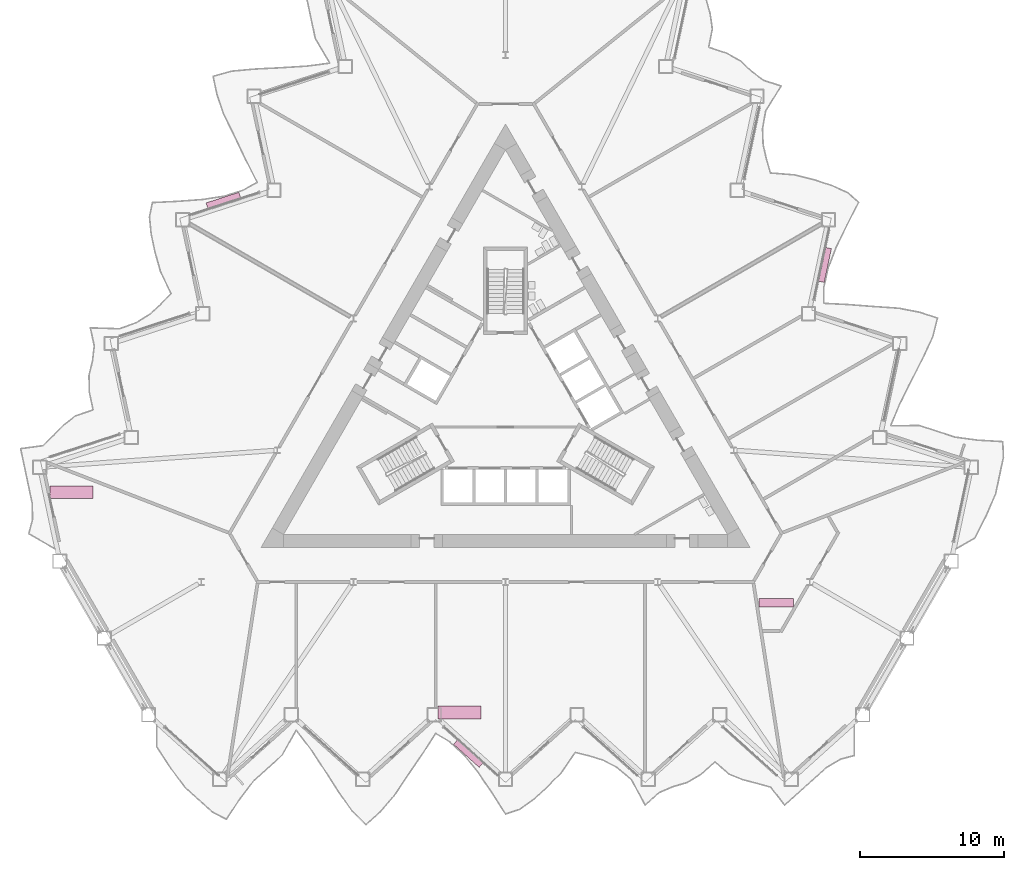
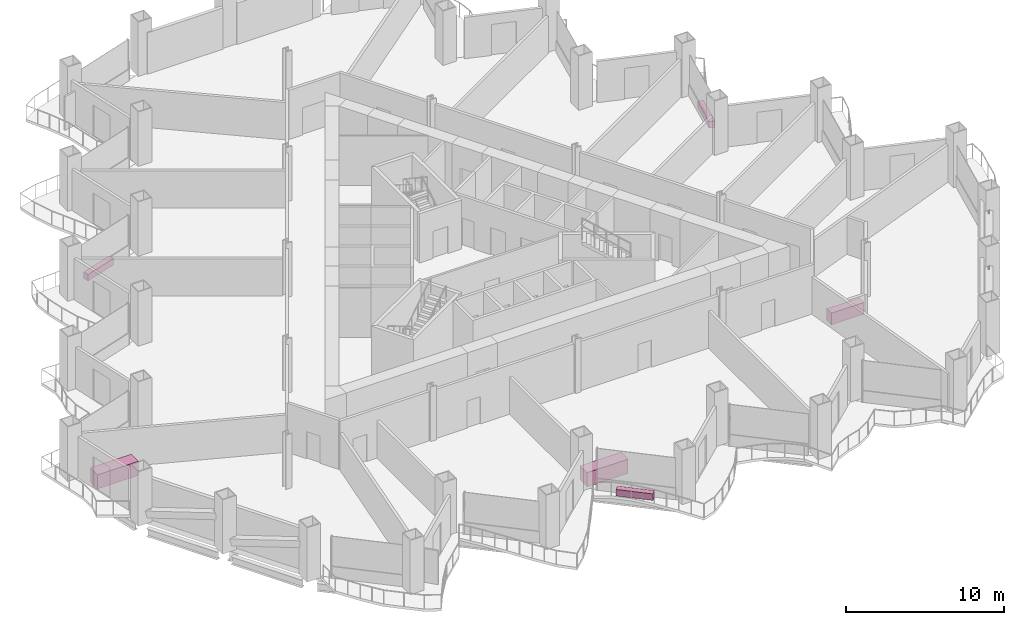
# One storey, part 21 of 21: 6 furniture elements.
"""IFC4 building model written with IfcOpenShell, lengths in metres."""

from ifc_helpers import new_model, si_unit, direction, frame, origin, origin_2d, place, context, subcontext, project, spatial, rectangle, extrude, material, type_object, element, save


model = new_model("IFC4")

# Units and contexts
model_context = context("Model", 3, precision=1e-05, world=origin(), true_north=direction((0.0, 1.0)))
body_context = subcontext(model_context, "Body", "Model", "MODEL_VIEW")
ifc_project = project(units=[si_unit("LENGTHUNIT", "METRE"), si_unit("AREAUNIT", "SQUARE_METRE"), si_unit("VOLUMEUNIT", "CUBIC_METRE"), si_unit("PLANEANGLEUNIT", "RADIAN"), si_unit("MASSUNIT", "GRAM", prefix="KILO")], contexts=[model_context])

# Site, building, storey
site_placement = place(None, origin())
site = spatial("IfcSite", under=ifc_project, at=site_placement, CompositionType="ELEMENT")
building_placement = place(site_placement, origin())
building = spatial("IfcBuilding", under=site, at=building_placement, Name="Cormorant Prow Tower", CompositionType="ELEMENT")
storey_placement = place(building_placement, frame((0.0, 0.0, 42.60009765625)))
storey = spatial("IfcBuildingStorey", under=building, at=storey_placement, Name="L08", CompositionType="ELEMENT", Elevation=42.60009765625)

# Furniture
ifc_material_1 = material(Name="Terracotta", Category="masonry")
furniture_type_1 = type_object("IfcFurnitureType", Name="Balcony planter 2400x400x500", AssemblyPlace="NOTDEFINED", PredefinedType="USERDEFINED", material=ifc_material_1)
for number, where, z_axis, x_axis, name in (
    (1, (-2.593505859375, -24.15771484375, 0.0), (0.0, 0.0, 1.0), (0.743144855234, -0.66913057331, 0.0), "Balcony planter S04"),
    (2, (22.218017578125, 9.832763671875, 0.0), (0.0, 0.0, 1.0), (0.207911695052, 0.978147599834, 0.0), "Balcony planter ENE04"),
    (3, (-19.62451171875, 14.324951171875, 0.0), (0.0, 0.0, 1.0), (-0.951056549556, -0.309016892008, 0.0), "Balcony planter WNW04"),
):
    element("IfcFurniture", number, at=place(storey_placement, frame(where, z_axis=z_axis, x_axis=x_axis)), inside=storey, type_object=furniture_type_1, Name=name, ObjectType="PLANTER", PredefinedType="USERDEFINED", context=body_context, shape_type="SweptSolid", body=[
        extrude(rectangle(XDim=2.39990234375, YDim=0.39990234375, at=origin_2d()), origin(), (0.0, 0.0, 1.0), 0.5),
    ])
ifc_material_2 = material(Name="Timber joinery", Category="wood")
furniture_type_2 = type_object("IfcFurnitureType", Name="Kitchen counter 2400x600", AssemblyPlace="NOTDEFINED", PredefinedType="NOTDEFINED", material=ifc_material_2)
furniture_placement = place(storey_placement, frame((18.829833984375, -13.669921875, 0.0), z_axis=(0.0, 0.0, 1.0), x_axis=(1.0, 0.0, 0.0)))
element("IfcFurniture", 4, at=furniture_placement, inside=storey, type_object=furniture_type_2, Name="Kitchen counter", PredefinedType="NOTDEFINED", context=body_context, shape_type="SweptSolid", body=[
    extrude(rectangle(XDim=2.39990234375, YDim=0.60009765625, at=origin_2d()), origin(), (0.0, 0.0, 1.0), 0.89990234375),
])
ifc_material_3 = material(Name="Timber joinery", Category="wood")
furniture_type_3 = type_object("IfcFurnitureType", Name="Reception desk 3000x900", AssemblyPlace="NOTDEFINED", PredefinedType="DESK", material=ifc_material_3)
for number, where, z_axis, x_axis, name in (
    (5, (-3.207763671875, -21.27880859375, -0.000244140625), (0.0, 0.0, 1.0), (1.0, 0.0, 0.0), "Reception desk"),
    (6, (-30.18017578125, -5.974853515625, -0.000244140625), (0.0, 0.0, 1.0), (1.0, 0.0, 0.0), "Reception desk"),
):
    element("IfcFurniture", number, at=place(storey_placement, frame(where, z_axis=z_axis, x_axis=x_axis)), inside=storey, type_object=furniture_type_3, Name=name, PredefinedType="DESK", context=body_context, shape_type="SweptSolid", body=[
        extrude(rectangle(XDim=3.0, YDim=0.89990234375, at=origin_2d()), origin(), (0.0, 0.0, 1.0), 1.10009765625),
    ])

save(model, "model.ifc")
